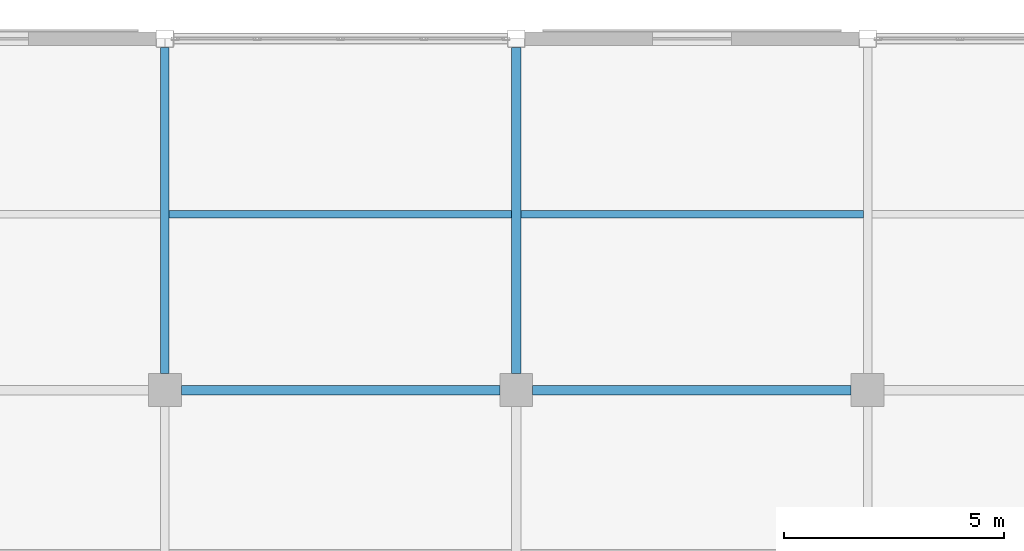
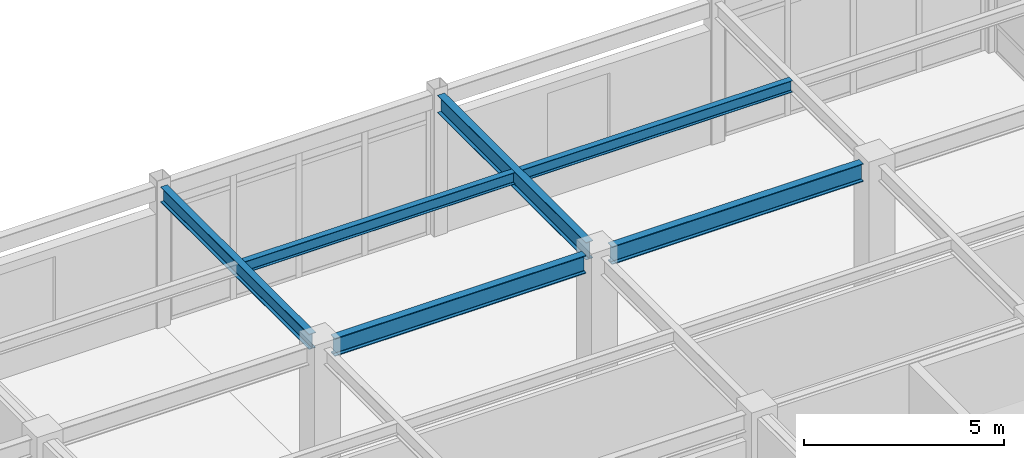
# One storey, part 64 of 111: 6 beams.
"""IFC4 building model written with IfcOpenShell, lengths in metres."""

from ifc_helpers import new_model, si_unit, direction, frame, origin, origin_2d, place, context, subcontext, project, spatial, i_section, extrude, material, material_profile, profile_set, type_object, element, save


model = new_model("IFC4")

# Units and contexts
model_context = context("Model", 3, precision=1e-05, world=origin(), true_north=direction((0.0, 1.0)))
body_context = subcontext(model_context, "Body", "Model", "MODEL_VIEW")
ifc_project = project(units=[si_unit("LENGTHUNIT", "METRE"), si_unit("AREAUNIT", "SQUARE_METRE"), si_unit("VOLUMEUNIT", "CUBIC_METRE"), si_unit("PLANEANGLEUNIT", "RADIAN"), si_unit("MASSUNIT", "GRAM", prefix="KILO")], contexts=[model_context])

# Site, building, storey
site_placement = place(None, origin())
site = spatial("IfcSite", under=ifc_project, at=site_placement, CompositionType="ELEMENT")
building_placement = place(site_placement, origin())
building = spatial("IfcBuilding", under=site, at=building_placement, Name="Solmirada Galleria", CompositionType="ELEMENT")
storey_placement = place(building_placement, frame((0.0, 0.0, 10.39990234375)))
storey = spatial("IfcBuildingStorey", under=building, at=storey_placement, Name="L02", CompositionType="ELEMENT", Elevation=10.39990234375)

# Beams
ifc_material = material(Name="Steel S355 / ASTM A992 Grade 50", Category="steel")
ifc_material_profile_1 = material_profile(ifc_material, i_section(OverallWidth=0.194091796875, OverallDepth=0.468994140625, WebThickness=0.0126953125, FlangeThickness=0.0205078125, FilletRadius=0.013916015625, at=origin_2d()), Name="W18X71")
ifc_profile_set_1 = profile_set([ifc_material_profile_1], Name="Steel S355 / ASTM A992 Grade 50")
beam_type_1 = type_object("IfcBeamType", Name="BM-GIRD-W18B", PredefinedType="BEAM", material=ifc_profile_set_1)
beam_1_placement = place(storey_placement, frame((152.0, 112.375, 4.065673828125), z_axis=(0.0, 1.0, 0.0), x_axis=(-1.0, 0.0, 0.0)))
element("IfcBeam", 1, at=beam_1_placement, inside=storey, type_object=beam_type_1, Name="Primary girder L03 Y(152, 112..120)", PredefinedType="BEAM", context=body_context, shape_type="SweptSolid", body=[
    extrude(i_section(OverallWidth=0.194091796875, OverallDepth=0.468994140625, WebThickness=0.0126953125, FlangeThickness=0.0205078125, FilletRadius=0.013916015625, at=origin_2d()), origin(), (0.0, 0.0, 1.0), 7.422119140625),
])
ifc_material_profile_2 = material_profile(ifc_material, i_section(OverallWidth=0.214111328125, OverallDepth=0.549072265625, WebThickness=0.0146484375, FlangeThickness=0.023681640625, FilletRadius=0.014892578125, at=origin_2d()), Name="W21X93")
ifc_profile_set_2 = profile_set([ifc_material_profile_2], Name="Steel S355 / ASTM A992 Grade 50")
beam_type_2 = type_object("IfcBeamType", Name="BM-GIRD-W21A", PredefinedType="BEAM", material=ifc_profile_set_2)
for number, where, z_axis, x_axis, name in (
    (2, (152.375, 112.0, 4.025634765625), (1.0, 0.0, 0.0), (0.0, 1.0, 0.0), "Primary beam L03 X(152..160, 112)"),
    (3, (160.375, 112.0, 4.025634765625), (1.0, 0.0, 0.0), (0.0, 1.0, 0.0), "Primary beam L03 X(160..168, 112)"),
):
    element("IfcBeam", number, at=place(storey_placement, frame(where, z_axis=z_axis, x_axis=x_axis)), inside=storey, type_object=beam_type_2, Name=name, PredefinedType="BEAM", context=body_context, shape_type="SweptSolid", body=[
        extrude(i_section(OverallWidth=0.214111328125, OverallDepth=0.549072265625, WebThickness=0.0146484375, FlangeThickness=0.023681640625, FilletRadius=0.014892578125, at=origin_2d()), origin(), (0.0, 0.0, 1.0), 7.25),
    ])
ifc_material_profile_3 = material_profile(ifc_material, i_section(OverallWidth=0.2099609375, OverallDepth=0.537109375, WebThickness=0.010986328125, FlangeThickness=0.017333984375, FilletRadius=0.014892578125, at=origin_2d()), Name="W21X68")
ifc_profile_set_3 = profile_set([ifc_material_profile_3], Name="Steel S355 / ASTM A992 Grade 50")
beam_type_3 = type_object("IfcBeamType", Name="BM-GIRD-W21B", PredefinedType="BEAM", material=ifc_profile_set_3)
beam_2_placement = place(storey_placement, frame((160.0, 112.375, 4.031494140625), z_axis=(0.0, 1.0, 0.0), x_axis=(-1.0, 0.0, 0.0)))
element("IfcBeam", 4, at=beam_2_placement, inside=storey, type_object=beam_type_3, Name="Primary girder L03 Y(160, 112..120)", PredefinedType="BEAM", context=body_context, shape_type="SweptSolid", body=[
    extrude(i_section(OverallWidth=0.2099609375, OverallDepth=0.537109375, WebThickness=0.010986328125, FlangeThickness=0.017333984375, FilletRadius=0.014892578125, at=origin_2d()), origin(), (0.0, 0.0, 1.0), 7.422119140625),
])
ifc_material_profile_4 = material_profile(ifc_material, i_section(OverallWidth=0.172119140625, OverallDepth=0.35791015625, WebThickness=0.0078125, FlangeThickness=0.01318359375, FilletRadius=0.011962890625, at=origin_2d()), Name="W14X38")
ifc_profile_set_4 = profile_set([ifc_material_profile_4], Name="Steel S355 / ASTM A992 Grade 50")
beam_type_4 = type_object("IfcBeamType", Name="BM-JST-W14A", PredefinedType="JOIST", material=ifc_profile_set_4)
for number, where, z_axis, x_axis, name in (
    (5, (152.096923828125, 116.0, 4.12109375), (1.0, 0.0, 0.0), (0.0, 1.0, 0.0), "Composite floor joist L03 (152..160, 116.0)"),
    (6, (160.10498046875, 116.0, 4.12109375), (1.0, 0.0, 0.0), (0.0, 1.0, 0.0), "Composite floor joist L03 (160..168, 116.0)"),
):
    element("IfcBeam", number, at=place(storey_placement, frame(where, z_axis=z_axis, x_axis=x_axis)), inside=storey, type_object=beam_type_4, Name=name, PredefinedType="JOIST", context=body_context, shape_type="SweptSolid", body=[
        extrude(i_section(OverallWidth=0.172119140625, OverallDepth=0.35791015625, WebThickness=0.0078125, FlangeThickness=0.01318359375, FilletRadius=0.011962890625, at=origin_2d()), origin(), (0.0, 0.0, 1.0), 7.798095703125),
    ])

save(model, "model.ifc")
